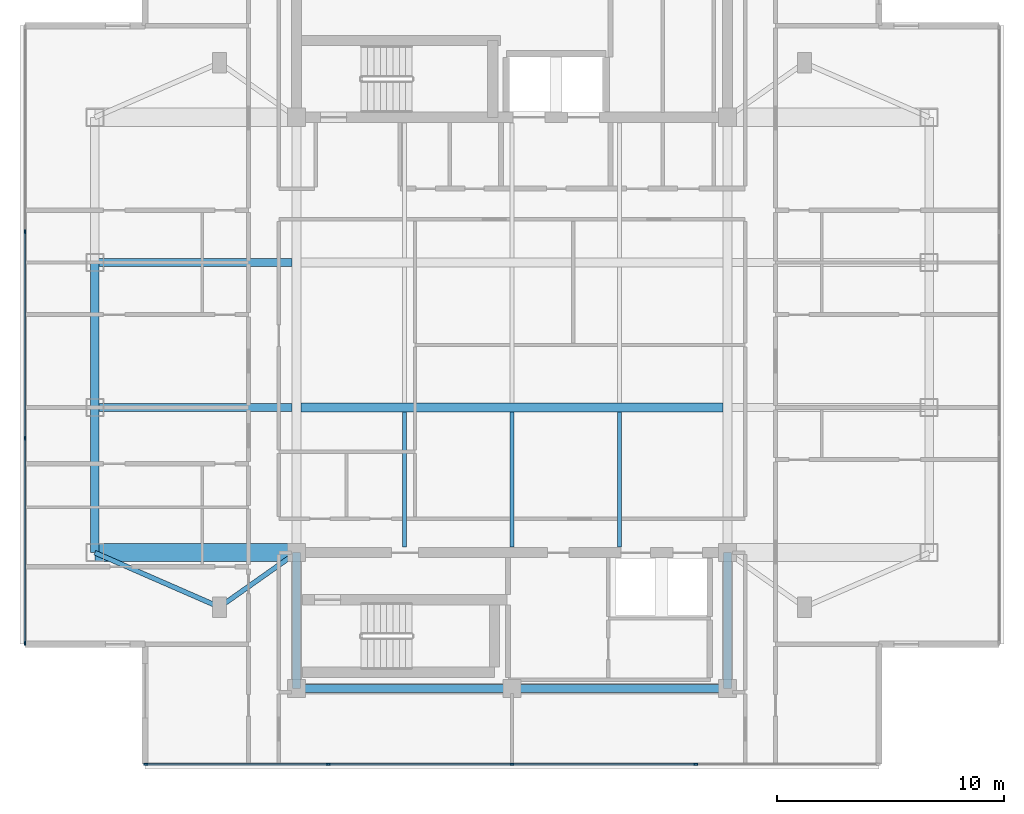
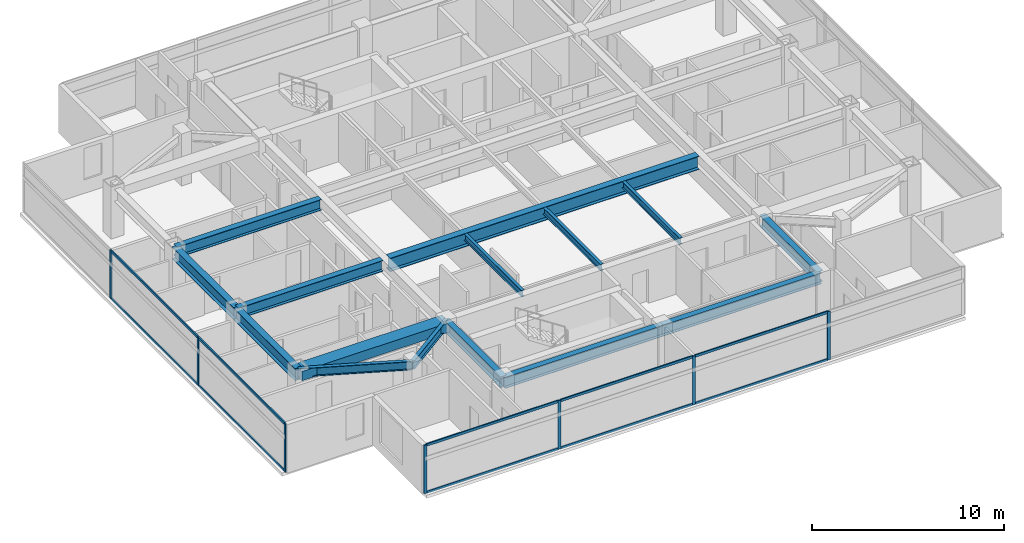
# One storey, part 2 of 14: 17 members, 15 beams, 2 elements without a shape of their own.
"""IFC4 building model written with IfcOpenShell, lengths in metres."""

import ifcopenshell
import ifcopenshell.guid

model = None  # the IFC model being written
_history = None  # IfcOwnerHistory: only IFC2X3 demands one
_inside = {}  # id of a spatial element -> (the spatial element, [elements in it])
_under = {}  # id of a project, library or spatial element -> (it, [spatial elements below it])
_declared = {}  # id of a project -> (the project, [libraries it declares])
_typed = {}  # id of a type object -> (the type object, [elements of that type])
_made_of = {}  # id of a material, layer set ... -> (it, [elements and type objects made of it])


def new_model(schema):
    """Start an empty IFC model of exactly this schema.

    Asked for "IFC4X3", IfcOpenShell would pick the latest addendum, in which some entities
    have other attributes; the version numbers below select the first issue.
    IFC2X3 requires an IfcOwnerHistory on every rooted entity: one is made here for all.
    """
    global model, _history
    if schema == "IFC4X3":
        model = ifcopenshell.file(schema_version=(4, 3, 0, 0))
    else:
        model = ifcopenshell.file(schema=schema)
    _inside.clear()
    _under.clear()
    _declared.clear()
    _typed.clear()
    _made_of.clear()
    _history = None
    if model.schema == "IFC2X3":
        org = make("IfcOrganization", Name="unknown")
        user = make(
            "IfcPersonAndOrganization",
            ThePerson=make("IfcPerson", FamilyName="unknown"),
            TheOrganization=org,
        )
        app = make(
            "IfcApplication",
            ApplicationDeveloper=org,
            Version="unknown",
            ApplicationFullName="unknown",
            ApplicationIdentifier="unknown",
        )
        _history = make(
            "IfcOwnerHistory",
            OwningUser=user,
            OwningApplication=app,
            ChangeAction="ADDED",
            CreationDate=0,
        )
    return model


def make(cls, **values):
    """One entity of the class cls with the attributes given. An attribute that is None is left unset."""
    return model.create_entity(
        cls, **{name: value for name, value in values.items() if value is not None}
    )


def rooted(cls, **values):
    """An entity with a GlobalId (a new one), such as an element, a storey or a relation."""
    return make(cls, GlobalId=ifcopenshell.guid.new(), OwnerHistory=_history, **values)


def si_unit(unit_type, name, prefix=None):
    """IfcSIUnit, for example si_unit("LENGTHUNIT", "METRE", prefix="MILLI")."""
    return make("IfcSIUnit", UnitType=unit_type, Prefix=prefix, Name=name)


def assignment(units):
    """IfcUnitAssignment: the units of a project."""
    return None if units is None else make("IfcUnitAssignment", Units=units)


def point(xyz):
    """IfcCartesianPoint."""
    return None if xyz is None else make("IfcCartesianPoint", Coordinates=xyz)


def direction(xyz):
    """IfcDirection."""
    return None if xyz is None else make("IfcDirection", DirectionRatios=xyz)


def frame(location, z_axis=None, x_axis=None):
    """IfcAxis2Placement3D, a coordinate frame: its origin and axes. An axis left out is left unset."""
    return make(
        "IfcAxis2Placement3D",
        Location=point(location),
        Axis=direction(z_axis),
        RefDirection=direction(x_axis),
    )


def frame_2d(location, x_axis=None):
    """IfcAxis2Placement2D, a coordinate frame in the plane: its origin and x axis."""
    return make(
        "IfcAxis2Placement2D", Location=point(location), RefDirection=direction(x_axis)
    )


def origin():
    """The frame at (0, 0, 0) with its axes left unset."""
    return frame((0.0, 0.0, 0.0))


def origin_2d():
    """The frame at (0, 0) in the plane with its x axis left unset."""
    return frame_2d((0.0, 0.0))


def place(relative_to, where):
    """IfcLocalPlacement: puts the frame where relative to a parent placement (None: the world)."""
    return make(
        "IfcLocalPlacement", PlacementRelTo=relative_to, RelativePlacement=where
    )


def context(
    kind, dimensions, precision=None, world=None, true_north=None, identifier=None
):
    """IfcGeometricRepresentationContext, for example the 3D "Model" context."""
    return make(
        "IfcGeometricRepresentationContext",
        ContextIdentifier=identifier,
        ContextType=kind,
        CoordinateSpaceDimension=dimensions,
        Precision=precision,
        WorldCoordinateSystem=world,
        TrueNorth=true_north,
    )


def subcontext(parent, identifier, kind, view, scale=None):
    """IfcGeometricRepresentationSubContext, for example "Body" below "Model"."""
    return make(
        "IfcGeometricRepresentationSubContext",
        ContextIdentifier=identifier,
        ContextType=kind,
        ParentContext=parent,
        TargetScale=scale,
        TargetView=view,
    )


def project(units=None, contexts=None):
    """IfcProject with its units and contexts."""
    return rooted(
        "IfcProject",
        Name="project",
        RepresentationContexts=contexts,
        UnitsInContext=assignment(units),
    )


def spatial(cls, under=None, at=None, **own):
    """A site, building, storey or space (cls), placed at a placement, below another one or the project."""
    s = rooted(cls, ObjectPlacement=at, **own)
    if under is not None:
        _under.setdefault(under.id(), (under, []))[1].append(s)
    return s


def profile(cls, at=None, kind="AREA", **sizes):
    """A parametric profile (cls). Its sizes go by their IFC names, for example OverallWidth=200.0."""
    return make(cls, ProfileType=kind, Position=at, **sizes)


def rectangle(**sizes):
    """IfcRectangleProfileDef."""
    return profile("IfcRectangleProfileDef", **sizes)


def i_section(**sizes):
    """IfcIShapeProfileDef."""
    return profile("IfcIShapeProfileDef", **sizes)


def extrude(swept, where, along, depth):
    """IfcExtrudedAreaSolid: the profile swept, set in the frame where, extruded along a direction by depth."""
    return make(
        "IfcExtrudedAreaSolid",
        SweptArea=swept,
        Position=where,
        ExtrudedDirection=direction(along),
        Depth=depth,
    )


def shape(context_of_items, identifier, shape_type, items):
    """IfcShapeRepresentation: the items that make up one representation, for example the "Body"."""
    return make(
        "IfcShapeRepresentation",
        ContextOfItems=context_of_items,
        RepresentationIdentifier=identifier,
        RepresentationType=shape_type,
        Items=items,
    )


def material(Name=None, Category=None):
    """IfcMaterial."""
    return make("IfcMaterial", Name=Name, Category=Category)


def material_profile(
    of_material, cross_section, Name=None, Category=None, Priority=None
):
    """IfcMaterialProfile: a cross section and its material."""
    return make(
        "IfcMaterialProfile",
        Name=Name,
        Material=of_material,
        Profile=cross_section,
        Priority=Priority,
        Category=Category,
    )


def profile_set(profiles, Name=None, composite=None):
    """IfcMaterialProfileSet."""
    return make(
        "IfcMaterialProfileSet",
        Name=Name,
        MaterialProfiles=profiles,
        CompositeProfile=composite,
    )


def made_of(thing, what):
    """Note that an element or type object is made of a material, layer set ...; save() writes the relation."""
    if what is not None:
        _made_of.setdefault(what.id(), (what, []))[1].append(thing)
    return thing


def type_object(cls, material=None, **own):
    """A type object (cls), such as IfcWallType, which elements share."""
    return made_of(rooted(cls, **own), material)


def element(
    cls,
    number,
    at=None,
    inside=None,
    cuts=None,
    type_object=None,
    material=None,
    context=None,
    identifier="Body",
    shape_type=None,
    held_by="IfcProductDefinitionShape",
    body=None,
    shapes=None,
    **own,
):
    """One element of the class cls, such as IfcWall. Its Tag is "e" and its number.

    at: its placement. inside: the storey or other place that contains it. cuts: it is an
    opening in that element (IfcRelVoidsElement). A single representation is given by context,
    identifier, shape_type and body (its items); several are given by shapes. held_by: the class
    of the entity that holds the representations. save() writes the other relations.
    """
    e = rooted(cls, Tag="e%d" % number, ObjectPlacement=at, **own)
    if body is not None:
        shapes = [shape(context, identifier, shape_type, body)]
    if shapes is not None:
        e.Representation = make(held_by, Representations=shapes)
    if inside is not None:
        _inside.setdefault(inside.id(), (inside, []))[1].append(e)
    if cuts is not None:
        rooted(
            "IfcRelVoidsElement", RelatingBuildingElement=cuts, RelatedOpeningElement=e
        )
    if type_object is not None:
        _typed.setdefault(type_object.id(), (type_object, []))[1].append(e)
    return made_of(e, material)


def aggregate(whole, parts):
    """IfcRelAggregates: a whole, such as a stair, and the parts it consists of."""
    return rooted("IfcRelAggregates", RelatingObject=whole, RelatedObjects=parts)


def save(model, path):
    """Write the relations noted so far, then the file.

    IfcRelAggregates (storeys below a building ...), IfcRelContainedInSpatialStructure (elements
    in a storey), IfcRelDefinesByType, IfcRelAssociatesMaterial and IfcRelDeclares: one each for
    every whole, place, type object, material and project.
    """
    for whole, parts in _under.values():
        aggregate(whole, parts)
    for where, things in _inside.values():
        rooted(
            "IfcRelContainedInSpatialStructure",
            RelatedElements=things,
            RelatingStructure=where,
        )
    for kind, things in _typed.values():
        rooted("IfcRelDefinesByType", RelatedObjects=things, RelatingType=kind)
    for what, things in _made_of.values():
        rooted("IfcRelAssociatesMaterial", RelatedObjects=things, RelatingMaterial=what)
    for by, libraries in _declared.values():
        rooted("IfcRelDeclares", RelatingContext=by, RelatedDefinitions=libraries)
    model.write(path)


model = new_model("IFC4")

# Units and contexts
model_context = context("Model", 3, precision=1e-05, world=origin(), true_north=direction((0.0, 1.0)))
body_context = subcontext(model_context, "Body", "Model", "MODEL_VIEW")
ifc_project = project(units=[si_unit("LENGTHUNIT", "METRE"), si_unit("AREAUNIT", "SQUARE_METRE"), si_unit("VOLUMEUNIT", "CUBIC_METRE"), si_unit("PLANEANGLEUNIT", "RADIAN"), si_unit("MASSUNIT", "GRAM", prefix="KILO")], contexts=[model_context])

# Site, building, storey
site_placement = place(None, origin())
site = spatial("IfcSite", under=ifc_project, at=site_placement, CompositionType="ELEMENT")
building_placement = place(site_placement, origin())
building = spatial("IfcBuilding", under=site, at=building_placement, Name="Mirazonda Arch Towers", CompositionType="ELEMENT")
storey_placement = place(building_placement, frame((0.0, 0.0, 235.89990234375)))
storey = spatial("IfcBuildingStorey", under=building, at=storey_placement, Name="L67", CompositionType="ELEMENT", Elevation=235.89990234375)

# Beams
ifc_material_1 = material(Name="Steel ASTM A992 Grade 50", Category="steel")
ifc_material_profile_1 = material_profile(ifc_material_1, i_section(OverallWidth=0.381103515625, OverallDepth=0.77294921875, WebThickness=0.0166015625, FlangeThickness=0.027099609375, at=origin_2d()), Name="W30X173")
ifc_profile_set_1 = profile_set([ifc_material_profile_1], Name="Steel ASTM A992 Grade 50")
beam_type_1 = type_object("IfcBeamType", Name="BM-EXT-W30X173", PredefinedType="USERDEFINED", material=ifc_profile_set_1)
beam_1_placement = place(storey_placement, frame((2.10009765625, 18.39990234375, 2.713623046875), z_axis=(0.0, 1.0, 0.0), x_axis=(-1.0, 0.0, 0.0)))
element("IfcBeam", 1, at=beam_1_placement, inside=storey, type_object=beam_type_1, Name="L67 Floor Beam BM-T1-L67-NS-W-18", ObjectType="GIRDER", PredefinedType="USERDEFINED", context=body_context, shape_type="SweptSolid", body=[
    extrude(i_section(OverallWidth=0.381103515625, OverallDepth=0.77294921875, WebThickness=0.0166015625, FlangeThickness=0.027099609375, at=origin_2d()), origin(), (0.0, 0.0, 1.0), 6.400146484375),
])
beam_2_placement = place(storey_placement, frame((2.10009765625, 24.800048828125, 2.713623046875), z_axis=(0.0, 1.0, 0.0), x_axis=(-1.0, 0.0, 0.0)))
element("IfcBeam", 2, at=beam_2_placement, inside=storey, type_object=beam_type_1, Name="L67 Floor Beam BM-T1-L67-NS-W-24", ObjectType="GIRDER", PredefinedType="USERDEFINED", context=body_context, shape_type="SweptSolid", body=[
    extrude(i_section(OverallWidth=0.381103515625, OverallDepth=0.77294921875, WebThickness=0.0166015625, FlangeThickness=0.027099609375, at=origin_2d()), origin(), (0.0, 0.0, 1.0), 6.39990234375),
])
ifc_material_profile_2 = material_profile(ifc_material_1, i_section(OverallWidth=0.180908203125, OverallDepth=0.4169921875, WebThickness=0.010986328125, FlangeThickness=0.018310546875, at=origin_2d()), Name="W16X57")
ifc_profile_set_2 = profile_set([ifc_material_profile_2], Name="Steel ASTM A992 Grade 50")
beam_type_2 = type_object("IfcBeamType", Name="BM-INT-W16X57", PredefinedType="JOIST", material=ifc_profile_set_2)
for number, where, z_axis, x_axis, name in (
    (3, (15.75, 18.639892578125, 2.8916015625), (0.0, 1.0, 0.0), (-1.0, 0.0, 0.0), "L67 Floor Beam BM-T1-L67-J-157-18"),
    (4, (20.5, 18.639892578125, 2.8916015625), (0.0, 1.0, 0.0), (-1.0, 0.0, 0.0), "L67 Floor Beam BM-T1-L67-J-205-18"),
    (5, (25.25, 18.639892578125, 2.8916015625), (0.0, 1.0, 0.0), (-1.0, 0.0, 0.0), "L67 Floor Beam BM-T1-L67-J-252-18"),
):
    element("IfcBeam", number, at=place(storey_placement, frame(where, z_axis=z_axis, x_axis=x_axis)), inside=storey, type_object=beam_type_2, Name=name, PredefinedType="JOIST", context=body_context, shape_type="SweptSolid", body=[
        extrude(i_section(OverallWidth=0.180908203125, OverallDepth=0.4169921875, WebThickness=0.010986328125, FlangeThickness=0.018310546875, at=origin_2d()), origin(), (0.0, 0.0, 1.0), 5.964111328125),
    ])
ifc_material_profile_3 = material_profile(ifc_material_1, i_section(OverallWidth=0.214111328125, OverallDepth=0.549072265625, WebThickness=0.0146484375, FlangeThickness=0.023681640625, at=origin_2d()), Name="W21X93")
ifc_profile_set_3 = profile_set([ifc_material_profile_3], Name="Steel ASTM A992 Grade 50")
beam_type_3 = type_object("IfcBeamType", Name="BM-INT-W21X93", PredefinedType="BEAM", material=ifc_profile_set_3)
beam_3_placement = place(storey_placement, frame((7.60009765625, 16.0, 2.82568359375), z_axis=(0.816971114901, 0.576678591087, 0.0), x_axis=(-0.576678591087, 0.816971114901, 0.0)))
element("IfcBeam", 6, at=beam_3_placement, inside=storey, type_object=beam_type_3, Name="L67 Floor Beam BM-T1-L67-PL-SW1", PredefinedType="BEAM", context=body_context, shape_type="SweptSolid", body=[
    extrude(i_section(OverallWidth=0.214111328125, OverallDepth=0.549072265625, WebThickness=0.0146484375, FlangeThickness=0.023681640625, at=origin_2d()), origin(), (0.0, 0.0, 1.0), 4.16162109375),
])
beam_4_placement = place(storey_placement, frame((7.60009765625, 16.0, 2.82568359375), z_axis=(-0.916545343703, 0.399930785183, 0.0), x_axis=(-0.399930785183, -0.916545343703, 0.0)))
element("IfcBeam", 7, at=beam_4_placement, inside=storey, type_object=beam_type_3, Name="L67 Floor Beam BM-T1-L67-PL-SW2", PredefinedType="BEAM", context=body_context, shape_type="SweptSolid", body=[
    extrude(i_section(OverallWidth=0.214111328125, OverallDepth=0.549072265625, WebThickness=0.0146484375, FlangeThickness=0.023681640625, at=origin_2d()), origin(), (0.0, 0.0, 1.0), 6.000732421875),
])
ifc_material_profile_4 = material_profile(ifc_material_1, i_section(OverallWidth=0.35498046875, OverallDepth=0.696044921875, WebThickness=0.015380859375, FlangeThickness=0.02490234375, at=origin_2d()), Name="W27X146")
ifc_profile_set_4 = profile_set([ifc_material_profile_4], Name="Steel ASTM A992 Grade 50")
beam_type_4 = type_object("IfcBeamType", Name="BM-INT-W27X146", PredefinedType="BEAM", material=ifc_profile_set_4)
for number, where, z_axis, x_axis, name in (
    (8, (2.10009765625, 24.800048828125, 2.752197265625), (1.0, 0.0, 0.0), (0.0, 1.0, 0.0), "L67 Floor Beam BM-T1-L67-GW2"),
    (9, (2.10009765625, 31.199951171875, 2.752197265625), (1.0, 0.0, 0.0), (0.0, 1.0, 0.0), "L67 Floor Beam BM-T1-L67-GW3"),
):
    element("IfcBeam", number, at=place(storey_placement, frame(where, z_axis=z_axis, x_axis=x_axis)), inside=storey, type_object=beam_type_4, Name=name, PredefinedType="BEAM", context=body_context, shape_type="SweptSolid", body=[
        extrude(i_section(OverallWidth=0.35498046875, OverallDepth=0.696044921875, WebThickness=0.015380859375, FlangeThickness=0.02490234375, at=origin_2d()), origin(), (0.0, 0.0, 1.0), 8.699951171875),
    ])
for number, where, z_axis, x_axis, name in (
    (10, (11.0, 12.39990234375, 2.752197265625), (1.0, 0.0, 0.0), (0.0, 1.0, 0.0), "L67 Floor Beam BM-T1-L67-CS1"),
    (11, (20.5, 12.39990234375, 2.752197265625), (1.0, 0.0, 0.0), (0.0, 1.0, 0.0), "L67 Floor Beam BM-T1-L67-CS2"),
):
    element("IfcBeam", number, at=place(storey_placement, frame(where, z_axis=z_axis, x_axis=x_axis)), inside=storey, type_object=beam_type_4, Name=name, PredefinedType="BEAM", context=body_context, shape_type="SweptSolid", body=[
        extrude(i_section(OverallWidth=0.35498046875, OverallDepth=0.696044921875, WebThickness=0.015380859375, FlangeThickness=0.02490234375, at=origin_2d()), origin(), (0.0, 0.0, 1.0), 9.5),
    ])
for number, where, z_axis, x_axis, name in (
    (12, (11.0, 12.39990234375, 2.752197265625), (0.0, 1.0, 0.0), (-1.0, 0.0, 0.0), "L67 Floor Beam BM-T1-L67-CSW"),
    (13, (30.0, 12.39990234375, 2.752197265625), (0.0, 1.0, 0.0), (-1.0, 0.0, 0.0), "L67 Floor Beam BM-T1-L67-CSE"),
):
    element("IfcBeam", number, at=place(storey_placement, frame(where, z_axis=z_axis, x_axis=x_axis)), inside=storey, type_object=beam_type_4, Name=name, PredefinedType="BEAM", context=body_context, shape_type="SweptSolid", body=[
        extrude(i_section(OverallWidth=0.35498046875, OverallDepth=0.696044921875, WebThickness=0.015380859375, FlangeThickness=0.02490234375, at=origin_2d()), origin(), (0.0, 0.0, 1.0), 6.0),
    ])
ifc_material_profile_5 = material_profile(ifc_material_1, i_section(OverallWidth=0.39990234375, OverallDepth=0.85595703125, WebThickness=0.018310546875, FlangeThickness=0.029296875, at=origin_2d()), Name="W33X201")
ifc_profile_set_5 = profile_set([ifc_material_profile_5], Name="Steel ASTM A992 Grade 50")
beam_type_5 = type_object("IfcBeamType", Name="BM-INT-W33X201", PredefinedType="USERDEFINED", material=ifc_profile_set_5)
beam_5_placement = place(storey_placement, frame((11.199951171875, 24.800048828125, 2.672119140625), z_axis=(1.0, 0.0, 0.0), x_axis=(0.0, 1.0, 0.0)))
element("IfcBeam", 14, at=beam_5_placement, inside=storey, type_object=beam_type_5, Name="L67 Floor Beam BM-T1-L67-GC2", ObjectType="GIRDER", PredefinedType="USERDEFINED", context=body_context, shape_type="SweptSolid", body=[
    extrude(i_section(OverallWidth=0.39990234375, OverallDepth=0.85595703125, WebThickness=0.018310546875, FlangeThickness=0.029296875, at=origin_2d()), origin(), (0.0, 0.0, 1.0), 18.60009765625),
])
ifc_material_2 = material(Name="Concrete C60/75", Category="concrete")
ifc_material_profile_6 = material_profile(ifc_material_2, rectangle(XDim=0.800048828125, YDim=0.60009765625, at=origin_2d()), Name="RCCB800x600")
ifc_profile_set_6 = profile_set([ifc_material_profile_6], Name="Concrete C60/75")
beam_type_6 = type_object("IfcBeamType", Name="CB-INT-RCCB800x600", PredefinedType="SPANDREL", material=ifc_profile_set_6)
beam_6_placement = place(storey_placement, frame((2.10009765625, 18.39990234375, 2.800048828125), z_axis=(1.0, 0.0, 0.0), x_axis=(0.0, 1.0, 0.0)))
element("IfcBeam", 15, at=beam_6_placement, inside=storey, type_object=beam_type_6, Name="L67 Floor Beam CBC-T1-L67-SW", PredefinedType="SPANDREL", context=body_context, shape_type="SweptSolid", body=[
    extrude(rectangle(XDim=0.800048828125, YDim=0.60009765625, at=origin_2d()), origin(), (0.0, 0.0, 1.0), 8.89990234375),
])

# Curtain wall, members
ifc_material_3 = material(Name="Anodised Aluminium and Low-E Glass", Category="aluminium")
curtain_wall_type = type_object("IfcCurtainWallType", Name="CW-RES-UNIT", PredefinedType="NOTDEFINED", material=ifc_material_3)
curtain_wall_1_placement = place(storey_placement, origin())
curtain_wall_1 = element("IfcCurtainWall", 16, at=curtain_wall_1_placement, inside=storey, type_object=curtain_wall_type, Name="L67 T1 S Facade CW-L67-T1-S", PredefinedType="NOTDEFINED")
ifc_material_4 = material(Name="Anodised Aluminium Alloy", Category="aluminium")
ifc_material_profile_7 = material_profile(ifc_material_4, rectangle(XDim=0.074951171875, YDim=0.175048828125, at=origin_2d()), Name="ALU-MULL-75x175")
ifc_profile_set_7 = profile_set([ifc_material_profile_7], Name="Anodised Aluminium Alloy")
member_type_1 = type_object("IfcMemberType", Name="MULL-CW-RES-UNIT", PredefinedType="MULLION", material=ifc_profile_set_7)
member_1_placement = place(storey_placement, frame((28.594970703125, 9.070068359375, 0.0), z_axis=(0.0, 0.0, 1.0), x_axis=(0.0, -1.0, 0.0)))
member_1 = element("IfcMember", 17, at=member_1_placement, type_object=member_type_1, Name="CW-104 mullion 2", PredefinedType="MULLION", context=body_context, shape_type="SweptSolid", body=[
    extrude(rectangle(XDim=0.074951171875, YDim=0.175048828125, at=origin_2d()), origin(), (0.0, 0.0, 1.0), 3.080078125),
])
member_2_placement = place(storey_placement, frame((20.5, 9.070068359375, 0.0), z_axis=(0.0, 0.0, 1.0), x_axis=(0.0, -1.0, 0.0)))
member_2 = element("IfcMember", 18, at=member_2_placement, type_object=member_type_1, Name="CW-104 mullion 3", PredefinedType="MULLION", context=body_context, shape_type="SweptSolid", body=[
    extrude(rectangle(XDim=0.074951171875, YDim=0.175048828125, at=origin_2d()), origin(), (0.0, 0.0, 1.0), 3.080078125),
])
member_3_placement = place(storey_placement, frame((12.405029296875, 9.070068359375, 0.0), z_axis=(0.0, 0.0, 1.0), x_axis=(0.0, -1.0, 0.0)))
member_3 = element("IfcMember", 19, at=member_3_placement, type_object=member_type_1, Name="CW-104 mullion 4", PredefinedType="MULLION", context=body_context, shape_type="SweptSolid", body=[
    extrude(rectangle(XDim=0.074951171875, YDim=0.175048828125, at=origin_2d()), origin(), (0.0, 0.0, 1.0), 3.080078125),
])
member_4_placement = place(storey_placement, frame((4.347412109375, 9.070068359375, 0.0), z_axis=(0.0, 0.0, 1.0), x_axis=(0.0, -1.0, 0.0)))
member_4 = element("IfcMember", 20, at=member_4_placement, type_object=member_type_1, Name="CW-104 mullion 5", PredefinedType="MULLION", context=body_context, shape_type="SweptSolid", body=[
    extrude(rectangle(XDim=0.074951171875, YDim=0.175048828125, at=origin_2d()), origin(), (0.0, 0.0, 1.0), 3.080078125),
])

curtain_wall_2_placement = place(storey_placement, origin())
curtain_wall_2 = element("IfcCurtainWall", 21, at=curtain_wall_2_placement, inside=storey, type_object=curtain_wall_type, Name="L67 T1 W Facade CW-L67-T1-W", PredefinedType="NOTDEFINED")
member_5_placement = place(storey_placement, frame((-0.97998046875, 32.546630859375, 0.0), z_axis=(0.0, 0.0, 1.0), x_axis=(1.0, 0.0, 0.0)))
member_5 = element("IfcMember", 22, at=member_5_placement, type_object=member_type_1, Name="CW-104 mullion 2", PredefinedType="MULLION", context=body_context, shape_type="SweptSolid", body=[
    extrude(rectangle(XDim=0.074951171875, YDim=0.175048828125, at=origin_2d()), origin(), (0.0, 0.0, 1.0), 3.080078125),
])
member_6_placement = place(storey_placement, frame((-0.97998046875, 23.453369140625, 0.0), z_axis=(0.0, 0.0, 1.0), x_axis=(1.0, 0.0, 0.0)))
member_6 = element("IfcMember", 23, at=member_6_placement, type_object=member_type_1, Name="CW-104 mullion 3", PredefinedType="MULLION", context=body_context, shape_type="SweptSolid", body=[
    extrude(rectangle(XDim=0.074951171875, YDim=0.175048828125, at=origin_2d()), origin(), (0.0, 0.0, 1.0), 3.080078125),
])
member_7_placement = place(storey_placement, frame((-0.97998046875, 14.3974609375, 0.0), z_axis=(0.0, 0.0, 1.0), x_axis=(1.0, 0.0, 0.0)))
member_7 = element("IfcMember", 24, at=member_7_placement, type_object=member_type_1, Name="CW-104 mullion 4", PredefinedType="MULLION", context=body_context, shape_type="SweptSolid", body=[
    extrude(rectangle(XDim=0.074951171875, YDim=0.175048828125, at=origin_2d()), origin(), (0.0, 0.0, 1.0), 3.080078125),
])

# Member
ifc_material_profile_8 = material_profile(ifc_material_4, rectangle(XDim=0.074951171875, YDim=0.155029296875, at=origin_2d()), Name="ALU-TRAN-75x155")
ifc_profile_set_8 = profile_set([ifc_material_profile_8], Name="Anodised Aluminium Alloy")
member_type_2 = type_object("IfcMemberType", Name="TRAN-CW-RES-UNIT", PredefinedType="USERDEFINED", material=ifc_profile_set_8)
member_8_placement = place(storey_placement, frame((28.5576171875, 9.070068359375, 0.03759765625), z_axis=(-1.0, 0.0, 0.0), x_axis=(0.0, -1.0, 0.0)))
member_8 = element("IfcMember", 25, at=member_8_placement, type_object=member_type_2, Name="CW-104 transom 2.1", ObjectType="TRANSOM", PredefinedType="USERDEFINED", context=body_context, shape_type="SweptSolid", body=[
    extrude(rectangle(XDim=0.074951171875, YDim=0.155029296875, at=origin_2d()), origin(), (0.0, 0.0, 1.0), 8.02001953125),
])

member_9_placement = place(storey_placement, frame((28.5576171875, 9.070068359375, 3.04248046875), z_axis=(-1.0, 0.0, 0.0), x_axis=(0.0, -1.0, 0.0)))
member_9 = element("IfcMember", 26, at=member_9_placement, type_object=member_type_2, Name="CW-104 transom 2.2", ObjectType="TRANSOM", PredefinedType="USERDEFINED", context=body_context, shape_type="SweptSolid", body=[
    extrude(rectangle(XDim=0.074951171875, YDim=0.155029296875, at=origin_2d()), origin(), (0.0, 0.0, 1.0), 8.02001953125),
])

member_10_placement = place(storey_placement, frame((20.46240234375, 9.070068359375, 0.03759765625), z_axis=(-1.0, 0.0, 0.0), x_axis=(0.0, -1.0, 0.0)))
member_10 = element("IfcMember", 27, at=member_10_placement, type_object=member_type_2, Name="CW-104 transom 3.1", ObjectType="TRANSOM", PredefinedType="USERDEFINED", context=body_context, shape_type="SweptSolid", body=[
    extrude(rectangle(XDim=0.074951171875, YDim=0.155029296875, at=origin_2d()), origin(), (0.0, 0.0, 1.0), 8.02001953125),
])

member_11_placement = place(storey_placement, frame((20.46240234375, 9.070068359375, 3.04248046875), z_axis=(-1.0, 0.0, 0.0), x_axis=(0.0, -1.0, 0.0)))
member_11 = element("IfcMember", 28, at=member_11_placement, type_object=member_type_2, Name="CW-104 transom 3.2", ObjectType="TRANSOM", PredefinedType="USERDEFINED", context=body_context, shape_type="SweptSolid", body=[
    extrude(rectangle(XDim=0.074951171875, YDim=0.155029296875, at=origin_2d()), origin(), (0.0, 0.0, 1.0), 8.02001953125),
])

member_12_placement = place(storey_placement, frame((12.367431640625, 9.070068359375, 0.03759765625), z_axis=(-1.0, 0.0, 0.0), x_axis=(0.0, -1.0, 0.0)))
member_12 = element("IfcMember", 29, at=member_12_placement, type_object=member_type_2, Name="CW-104 transom 4.1", ObjectType="TRANSOM", PredefinedType="USERDEFINED", context=body_context, shape_type="SweptSolid", body=[
    extrude(rectangle(XDim=0.074951171875, YDim=0.155029296875, at=origin_2d()), origin(), (0.0, 0.0, 1.0), 7.982421875),
])

member_13_placement = place(storey_placement, frame((12.367431640625, 9.070068359375, 3.04248046875), z_axis=(-1.0, 0.0, 0.0), x_axis=(0.0, -1.0, 0.0)))
member_13 = element("IfcMember", 30, at=member_13_placement, type_object=member_type_2, Name="CW-104 transom 4.2", ObjectType="TRANSOM", PredefinedType="USERDEFINED", context=body_context, shape_type="SweptSolid", body=[
    extrude(rectangle(XDim=0.074951171875, YDim=0.155029296875, at=origin_2d()), origin(), (0.0, 0.0, 1.0), 7.982421875),
])

aggregate(curtain_wall_1, [member_1, member_2, member_3, member_4, member_8, member_9, member_10, member_11, member_12, member_13])

member_14_placement = place(storey_placement, frame((-0.97998046875, 32.50927734375, 0.03759765625), z_axis=(0.0, -1.0, 0.0), x_axis=(1.0, 0.0, 0.0)))
member_14 = element("IfcMember", 31, at=member_14_placement, type_object=member_type_2, Name="CW-104 transom 2.1", ObjectType="TRANSOM", PredefinedType="USERDEFINED", context=body_context, shape_type="SweptSolid", body=[
    extrude(rectangle(XDim=0.074951171875, YDim=0.155029296875, at=origin_2d()), origin(), (0.0, 0.0, 1.0), 9.0185546875),
])

member_15_placement = place(storey_placement, frame((-0.97998046875, 32.50927734375, 3.04248046875), z_axis=(0.0, -1.0, 0.0), x_axis=(1.0, 0.0, 0.0)))
member_15 = element("IfcMember", 32, at=member_15_placement, type_object=member_type_2, Name="CW-104 transom 2.2", ObjectType="TRANSOM", PredefinedType="USERDEFINED", context=body_context, shape_type="SweptSolid", body=[
    extrude(rectangle(XDim=0.074951171875, YDim=0.155029296875, at=origin_2d()), origin(), (0.0, 0.0, 1.0), 9.0185546875),
])

member_16_placement = place(storey_placement, frame((-0.97998046875, 23.415771484375, 0.03759765625), z_axis=(0.0, -1.0, 0.0), x_axis=(1.0, 0.0, 0.0)))
member_16 = element("IfcMember", 33, at=member_16_placement, type_object=member_type_2, Name="CW-104 transom 3.1", ObjectType="TRANSOM", PredefinedType="USERDEFINED", context=body_context, shape_type="SweptSolid", body=[
    extrude(rectangle(XDim=0.074951171875, YDim=0.155029296875, at=origin_2d()), origin(), (0.0, 0.0, 1.0), 8.980712890625),
])

member_17_placement = place(storey_placement, frame((-0.97998046875, 23.415771484375, 3.04248046875), z_axis=(0.0, -1.0, 0.0), x_axis=(1.0, 0.0, 0.0)))
member_17 = element("IfcMember", 34, at=member_17_placement, type_object=member_type_2, Name="CW-104 transom 3.2", ObjectType="TRANSOM", PredefinedType="USERDEFINED", context=body_context, shape_type="SweptSolid", body=[
    extrude(rectangle(XDim=0.074951171875, YDim=0.155029296875, at=origin_2d()), origin(), (0.0, 0.0, 1.0), 8.980712890625),
])

aggregate(curtain_wall_2, [member_5, member_6, member_7, member_14, member_15, member_16, member_17])

save(model, "model.ifc")
